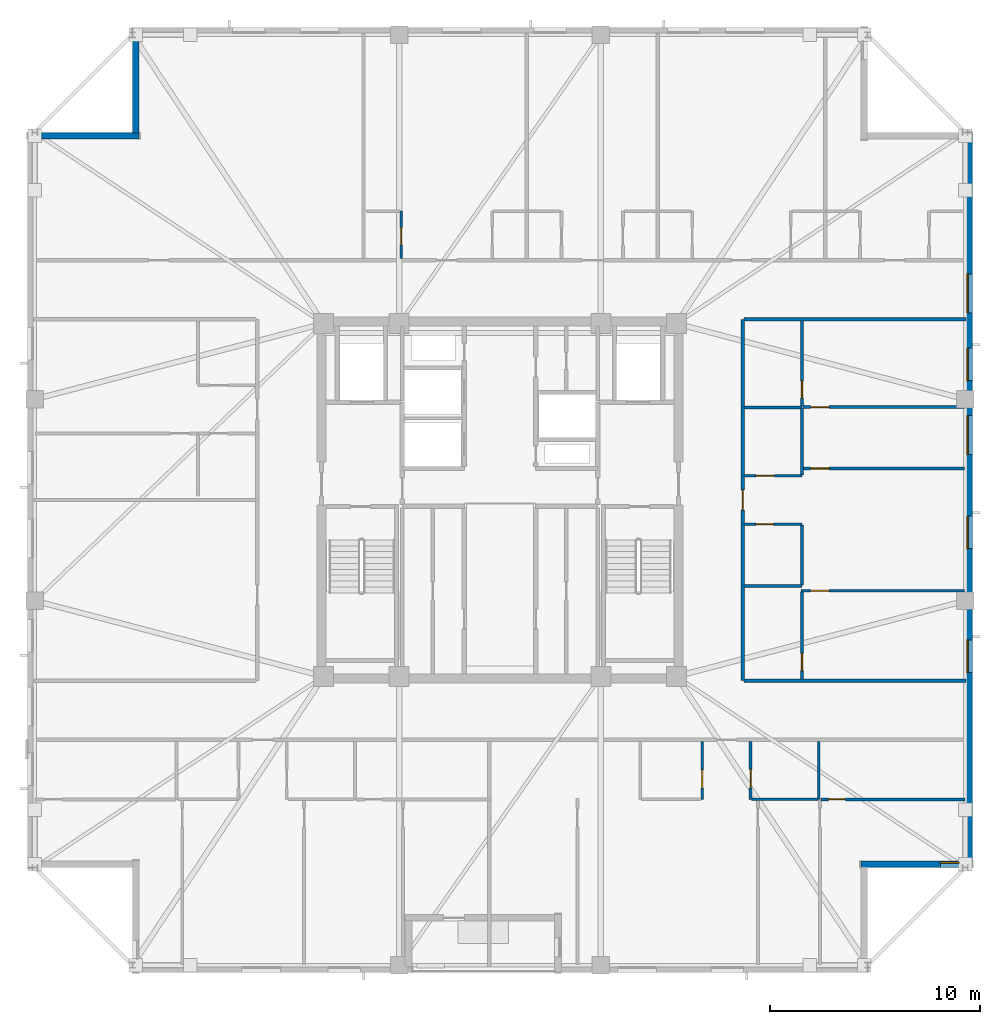
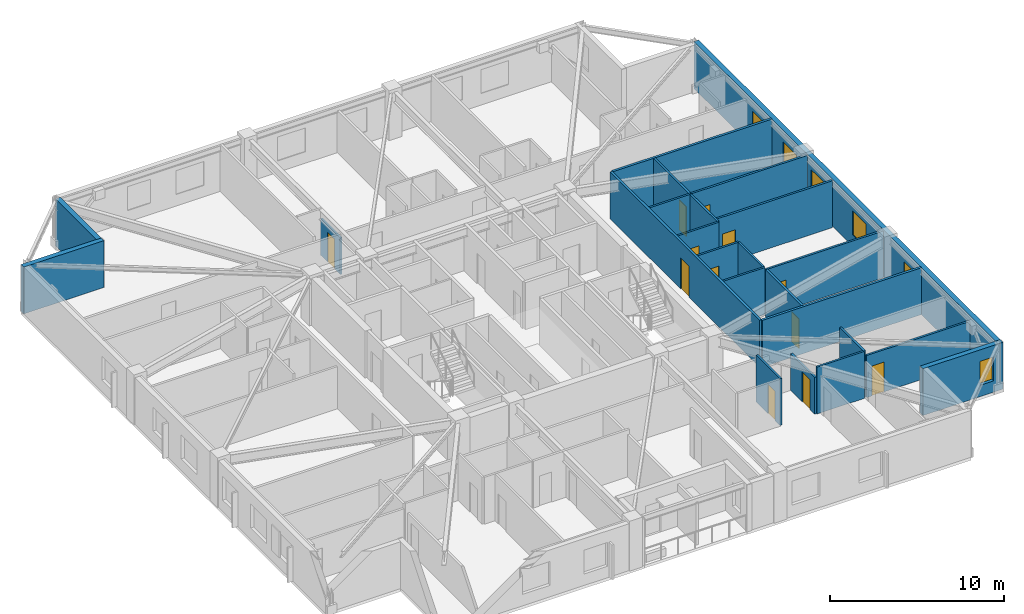
# One storey, part 10 of 17: 24 walls, 12 doors, 6 windows, 18 openings.
"""IFC4 building model written with IfcOpenShell, lengths in metres."""

import ifcopenshell
import ifcopenshell.guid

model = None  # the IFC model being written
_history = None  # IfcOwnerHistory: only IFC2X3 demands one
_inside = {}  # id of a spatial element -> (the spatial element, [elements in it])
_under = {}  # id of a project, library or spatial element -> (it, [spatial elements below it])
_declared = {}  # id of a project -> (the project, [libraries it declares])
_typed = {}  # id of a type object -> (the type object, [elements of that type])
_made_of = {}  # id of a material, layer set ... -> (it, [elements and type objects made of it])


def new_model(schema):
    """Start an empty IFC model of exactly this schema.

    Asked for "IFC4X3", IfcOpenShell would pick the latest addendum, in which some entities
    have other attributes; the version numbers below select the first issue.
    IFC2X3 requires an IfcOwnerHistory on every rooted entity: one is made here for all.
    """
    global model, _history
    if schema == "IFC4X3":
        model = ifcopenshell.file(schema_version=(4, 3, 0, 0))
    else:
        model = ifcopenshell.file(schema=schema)
    _inside.clear()
    _under.clear()
    _declared.clear()
    _typed.clear()
    _made_of.clear()
    _history = None
    if model.schema == "IFC2X3":
        org = make("IfcOrganization", Name="unknown")
        user = make(
            "IfcPersonAndOrganization",
            ThePerson=make("IfcPerson", FamilyName="unknown"),
            TheOrganization=org,
        )
        app = make(
            "IfcApplication",
            ApplicationDeveloper=org,
            Version="unknown",
            ApplicationFullName="unknown",
            ApplicationIdentifier="unknown",
        )
        _history = make(
            "IfcOwnerHistory",
            OwningUser=user,
            OwningApplication=app,
            ChangeAction="ADDED",
            CreationDate=0,
        )
    return model


def make(cls, **values):
    """One entity of the class cls with the attributes given. An attribute that is None is left unset."""
    return model.create_entity(
        cls, **{name: value for name, value in values.items() if value is not None}
    )


def rooted(cls, **values):
    """An entity with a GlobalId (a new one), such as an element, a storey or a relation."""
    return make(cls, GlobalId=ifcopenshell.guid.new(), OwnerHistory=_history, **values)


def si_unit(unit_type, name, prefix=None):
    """IfcSIUnit, for example si_unit("LENGTHUNIT", "METRE", prefix="MILLI")."""
    return make("IfcSIUnit", UnitType=unit_type, Prefix=prefix, Name=name)


def assignment(units):
    """IfcUnitAssignment: the units of a project."""
    return None if units is None else make("IfcUnitAssignment", Units=units)


def point(xyz):
    """IfcCartesianPoint."""
    return None if xyz is None else make("IfcCartesianPoint", Coordinates=xyz)


def direction(xyz):
    """IfcDirection."""
    return None if xyz is None else make("IfcDirection", DirectionRatios=xyz)


def frame(location, z_axis=None, x_axis=None):
    """IfcAxis2Placement3D, a coordinate frame: its origin and axes. An axis left out is left unset."""
    return make(
        "IfcAxis2Placement3D",
        Location=point(location),
        Axis=direction(z_axis),
        RefDirection=direction(x_axis),
    )


def frame_2d(location, x_axis=None):
    """IfcAxis2Placement2D, a coordinate frame in the plane: its origin and x axis."""
    return make(
        "IfcAxis2Placement2D", Location=point(location), RefDirection=direction(x_axis)
    )


def origin():
    """The frame at (0, 0, 0) with its axes left unset."""
    return frame((0.0, 0.0, 0.0))


def place(relative_to, where):
    """IfcLocalPlacement: puts the frame where relative to a parent placement (None: the world)."""
    return make(
        "IfcLocalPlacement", PlacementRelTo=relative_to, RelativePlacement=where
    )


def context(
    kind, dimensions, precision=None, world=None, true_north=None, identifier=None
):
    """IfcGeometricRepresentationContext, for example the 3D "Model" context."""
    return make(
        "IfcGeometricRepresentationContext",
        ContextIdentifier=identifier,
        ContextType=kind,
        CoordinateSpaceDimension=dimensions,
        Precision=precision,
        WorldCoordinateSystem=world,
        TrueNorth=true_north,
    )


def subcontext(parent, identifier, kind, view, scale=None):
    """IfcGeometricRepresentationSubContext, for example "Body" below "Model"."""
    return make(
        "IfcGeometricRepresentationSubContext",
        ContextIdentifier=identifier,
        ContextType=kind,
        ParentContext=parent,
        TargetScale=scale,
        TargetView=view,
    )


def project(units=None, contexts=None):
    """IfcProject with its units and contexts."""
    return rooted(
        "IfcProject",
        Name="project",
        RepresentationContexts=contexts,
        UnitsInContext=assignment(units),
    )


def spatial(cls, under=None, at=None, **own):
    """A site, building, storey or space (cls), placed at a placement, below another one or the project."""
    s = rooted(cls, ObjectPlacement=at, **own)
    if under is not None:
        _under.setdefault(under.id(), (under, []))[1].append(s)
    return s


def profile(cls, at=None, kind="AREA", **sizes):
    """A parametric profile (cls). Its sizes go by their IFC names, for example OverallWidth=200.0."""
    return make(cls, ProfileType=kind, Position=at, **sizes)


def rectangle(**sizes):
    """IfcRectangleProfileDef."""
    return profile("IfcRectangleProfileDef", **sizes)


def extrude(swept, where, along, depth):
    """IfcExtrudedAreaSolid: the profile swept, set in the frame where, extruded along a direction by depth."""
    return make(
        "IfcExtrudedAreaSolid",
        SweptArea=swept,
        Position=where,
        ExtrudedDirection=direction(along),
        Depth=depth,
    )


def shape(context_of_items, identifier, shape_type, items):
    """IfcShapeRepresentation: the items that make up one representation, for example the "Body"."""
    return make(
        "IfcShapeRepresentation",
        ContextOfItems=context_of_items,
        RepresentationIdentifier=identifier,
        RepresentationType=shape_type,
        Items=items,
    )


def material(Name=None, Category=None):
    """IfcMaterial."""
    return make("IfcMaterial", Name=Name, Category=Category)


def layer(
    of_material, thickness, ventilated=None, Name=None, Category=None, Priority=None
):
    """IfcMaterialLayer: one layer of a wall or slab, of a material (None: an air gap)."""
    return make(
        "IfcMaterialLayer",
        Material=of_material,
        LayerThickness=thickness,
        IsVentilated=ventilated,
        Name=Name,
        Category=Category,
        Priority=Priority,
    )


def layer_set(layers, Name=None):
    """IfcMaterialLayerSet."""
    return make("IfcMaterialLayerSet", MaterialLayers=layers, LayerSetName=Name)


def made_of(thing, what):
    """Note that an element or type object is made of a material, layer set ...; save() writes the relation."""
    if what is not None:
        _made_of.setdefault(what.id(), (what, []))[1].append(thing)
    return thing


def type_object(cls, material=None, **own):
    """A type object (cls), such as IfcWallType, which elements share."""
    return made_of(rooted(cls, **own), material)


def element(
    cls,
    number,
    at=None,
    inside=None,
    cuts=None,
    type_object=None,
    material=None,
    context=None,
    identifier="Body",
    shape_type=None,
    held_by="IfcProductDefinitionShape",
    body=None,
    shapes=None,
    **own,
):
    """One element of the class cls, such as IfcWall. Its Tag is "e" and its number.

    at: its placement. inside: the storey or other place that contains it. cuts: it is an
    opening in that element (IfcRelVoidsElement). A single representation is given by context,
    identifier, shape_type and body (its items); several are given by shapes. held_by: the class
    of the entity that holds the representations. save() writes the other relations.
    """
    e = rooted(cls, Tag="e%d" % number, ObjectPlacement=at, **own)
    if body is not None:
        shapes = [shape(context, identifier, shape_type, body)]
    if shapes is not None:
        e.Representation = make(held_by, Representations=shapes)
    if inside is not None:
        _inside.setdefault(inside.id(), (inside, []))[1].append(e)
    if cuts is not None:
        rooted(
            "IfcRelVoidsElement", RelatingBuildingElement=cuts, RelatedOpeningElement=e
        )
    if type_object is not None:
        _typed.setdefault(type_object.id(), (type_object, []))[1].append(e)
    return made_of(e, material)


def fill(opening, filler):
    """IfcRelFillsElement: the door or window that sits in an opening."""
    return rooted(
        "IfcRelFillsElement",
        RelatingOpeningElement=opening,
        RelatedBuildingElement=filler,
    )


def aggregate(whole, parts):
    """IfcRelAggregates: a whole, such as a stair, and the parts it consists of."""
    return rooted("IfcRelAggregates", RelatingObject=whole, RelatedObjects=parts)


def save(model, path):
    """Write the relations noted so far, then the file.

    IfcRelAggregates (storeys below a building ...), IfcRelContainedInSpatialStructure (elements
    in a storey), IfcRelDefinesByType, IfcRelAssociatesMaterial and IfcRelDeclares: one each for
    every whole, place, type object, material and project.
    """
    for whole, parts in _under.values():
        aggregate(whole, parts)
    for where, things in _inside.values():
        rooted(
            "IfcRelContainedInSpatialStructure",
            RelatedElements=things,
            RelatingStructure=where,
        )
    for kind, things in _typed.values():
        rooted("IfcRelDefinesByType", RelatedObjects=things, RelatingType=kind)
    for what, things in _made_of.values():
        rooted("IfcRelAssociatesMaterial", RelatedObjects=things, RelatingMaterial=what)
    for by, libraries in _declared.values():
        rooted("IfcRelDeclares", RelatingContext=by, RelatedDefinitions=libraries)
    model.write(path)


model = new_model("IFC4")

# Units and contexts
model_context = context("Model", 3, precision=1e-05, world=origin(), true_north=direction((0.0, 1.0)))
body_context = subcontext(model_context, "Body", "Model", "MODEL_VIEW")
ifc_project = project(units=[si_unit("LENGTHUNIT", "METRE"), si_unit("AREAUNIT", "SQUARE_METRE"), si_unit("VOLUMEUNIT", "CUBIC_METRE"), si_unit("PLANEANGLEUNIT", "RADIAN"), si_unit("MASSUNIT", "GRAM", prefix="KILO")], contexts=[model_context])

# Site, building, storey
site_placement = place(None, origin())
site = spatial("IfcSite", under=ifc_project, at=site_placement, CompositionType="ELEMENT")
building_placement = place(site_placement, origin())
building = spatial("IfcBuilding", under=site, at=building_placement, Name="Cairnveth Concourse Tower", CompositionType="ELEMENT")
storey_placement = place(building_placement, frame((0.0, 0.0, 269.0)))
storey = spatial("IfcBuildingStorey", under=building, at=storey_placement, Name="L74", CompositionType="ELEMENT", Elevation=269.0)

# Wall, opening, door
ifc_material_1 = material(Name="Gypsum Plasterboard Partition", Category="gypsum")
ifc_layer_1 = layer(ifc_material_1, 0.159912109375)
ifc_layer_set_1 = layer_set([ifc_layer_1], Name="Gypsum Plasterboard Partition")
wall_type_1 = type_object("IfcWallType", Name="ACOUSTIC PARTY WALL 180", PredefinedType="PARTITIONING", material=ifc_layer_set_1)
wall_1_placement = place(storey_placement, frame((63.550048828125, 30.39990234375, 0.0), z_axis=(0.0, 0.0, 1.0), x_axis=(0.0, 1.0, 0.0)))
wall_1 = element("IfcWall", 1, at=wall_1_placement, inside=storey, type_object=wall_type_1, Name="Interior Wall IW-L74-039", PredefinedType="PARTITIONING", context=body_context, shape_type="SweptSolid", body=[
    extrude(rectangle(XDim=17.2001953125, YDim=0.159912109375, at=frame_2d((8.60009765625, 0.0))), origin(), (0.0, 0.0, 1.0), 3.2900390625),
])
opening_1_placement = place(wall_1_placement, frame((8.1201171875, 0.0, 0.0)))
opening_1 = element("IfcOpeningElement", 2, at=opening_1_placement, cuts=wall_1, Name="Opening ID10", PredefinedType="OPENING", context=body_context, shape_type="SweptSolid", body=[
    extrude(rectangle(XDim=0.9599609375, YDim=2.179931640625, at=frame_2d((0.47998046875, 1.08984375))), frame((0.0, 0.08984375, 0.0), z_axis=(0.0, -1.0, 0.0), x_axis=(1.0, 0.0, 0.0)), (0.0, 0.0, 1.0), 0.179931640625),
])
ifc_material_2 = material(Name="Solid Core Hardwood Timber Leaf", Category="wood")
door_type_1 = type_object("IfcDoorType", Name="FLAT ENTRANCE DOOR 960X2150", OperationType="NOTDEFINED", PredefinedType="DOOR", material=ifc_material_2)
door_1_placement = place(opening_1_placement, origin())
door_1 = element("IfcDoor", 3, at=door_1_placement, inside=storey, type_object=door_type_1, Name="Apartment L74E1 Entrance Door", OperationType="SINGLE_SWING_LEFT", OverallHeight=2.179931640625, OverallWidth=0.9599609375, PredefinedType="DOOR", context=body_context, shape_type="SweptSolid", body=[
    extrude(rectangle(XDim=0.9599609375, YDim=2.179931640625, at=frame_2d((0.47998046875, 1.08984375))), frame((0.0, 0.02490234375, 0.0), z_axis=(0.0, -1.0, 0.0), x_axis=(1.0, 0.0, 0.0)), (0.0, 0.0, 1.0), 0.050048828125),
])
fill(opening_1, door_1)

# Walls
for number, where, z_axis, x_axis, name in (
    (4, (63.614990234375, 30.39990234375, 0.0), (0.0, 0.0, 1.0), (1.0, 0.0, 0.0), "Interior Wall IW-L74-042"),
    (5, (63.614990234375, 47.60009765625, 0.0), (0.0, 0.0, 1.0), (1.0, 0.0, 0.0), "Interior Wall IW-L74-043"),
):
    element("IfcWall", number, at=place(storey_placement, frame(where, z_axis=z_axis, x_axis=x_axis)), inside=storey, type_object=wall_type_1, Name=name, PredefinedType="PARTITIONING", context=body_context, shape_type="SweptSolid", body=[
        extrude(rectangle(XDim=10.580078125, YDim=0.159912109375, at=frame_2d((5.2900390625, 0.0))), origin(), (0.0, 0.0, 1.0), 3.2900390625),
    ])

# Wall, opening, door
ifc_layer_2 = layer(ifc_material_1, 0.139892578125)
ifc_layer_set_2 = layer_set([ifc_layer_2], Name="Gypsum Plasterboard Partition")
wall_type_2 = type_object("IfcWallType", Name="GYPSUM STUD PARTITION 140", PredefinedType="PARTITIONING", material=ifc_layer_set_2)
wall_2_placement = place(storey_placement, frame((67.284912109375, 24.74755859375, 0.0), z_axis=(0.0, 0.0, 1.0), x_axis=(1.0, 0.0, 0.0)))
wall_2 = element("IfcWall", 6, at=wall_2_placement, inside=storey, type_object=wall_type_2, Name="Interior Wall IW-L74-064", PredefinedType="PARTITIONING", context=body_context, shape_type="SweptSolid", body=[
    extrude(rectangle(XDim=6.844970703125, YDim=0.139892578125, at=frame_2d((3.42236328125, 0.0))), origin(), (0.0, 0.0, 1.0), 2.9580078125),
])
opening_2_placement = place(wall_2_placement, frame((0.344970703125, 0.0, 0.0)))
opening_2 = element("IfcOpeningElement", 7, at=opening_2_placement, cuts=wall_2, Name="Opening ID22", PredefinedType="OPENING", context=body_context, shape_type="SweptSolid", body=[
    extrude(rectangle(XDim=0.820068359375, YDim=2.10009765625, at=frame_2d((0.41015625, 1.050048828125))), frame((0.0, 0.079833984375, 0.0), z_axis=(0.0, -1.0, 0.0), x_axis=(1.0, 0.0, 0.0)), (0.0, 0.0, 1.0), 0.159912109375),
])
door_type_2 = type_object("IfcDoorType", Name="INTERIOR WC DOOR 820X2100", OperationType="NOTDEFINED", PredefinedType="DOOR", material=ifc_material_2)
door_2_placement = place(opening_2_placement, origin())
door_2 = element("IfcDoor", 8, at=door_2_placement, inside=storey, type_object=door_type_2, Name="L74S2 Utility Door", OperationType="SINGLE_SWING_RIGHT", OverallHeight=2.10009765625, OverallWidth=0.820068359375, PredefinedType="DOOR", context=body_context, shape_type="SweptSolid", body=[
    extrude(rectangle(XDim=0.820068359375, YDim=2.10009765625, at=frame_2d((0.41015625, 1.050048828125))), frame((0.0, 0.02490234375, 0.0), z_axis=(0.0, -1.0, 0.0), x_axis=(1.0, 0.0, 0.0)), (0.0, 0.0, 1.0), 0.050048828125),
])
fill(opening_2, door_2)

wall_3_placement = place(storey_placement, frame((66.340087890625, 34.679931640625, 0.0), z_axis=(0.0, 0.0, 1.0), x_axis=(1.0, 0.0, 0.0)))
wall_3 = element("IfcWall", 9, at=wall_3_placement, inside=storey, type_object=wall_type_2, Name="Interior Wall IW-L74-098", PredefinedType="PARTITIONING", context=body_context, shape_type="SweptSolid", body=[
    extrude(rectangle(XDim=7.780029296875, YDim=0.139892578125, at=frame_2d((3.89013671875, 0.0))), origin(), (0.0, 0.0, 1.0), 3.2900390625),
])
opening_3_placement = place(wall_3_placement, frame((0.449951171875, 0.0, 0.0)))
opening_3 = element("IfcOpeningElement", 10, at=opening_3_placement, cuts=wall_3, Name="Opening ID18", PredefinedType="OPENING", context=body_context, shape_type="SweptSolid", body=[
    extrude(rectangle(XDim=0.8798828125, YDim=2.10009765625, at=frame_2d((0.43994140625, 1.050048828125))), frame((0.0, 0.079833984375, 0.0), z_axis=(0.0, -1.0, 0.0), x_axis=(1.0, 0.0, 0.0)), (0.0, 0.0, 1.0), 0.159912109375),
])
door_type_3 = type_object("IfcDoorType", Name="INTERIOR SINGLE DOOR 880X2100", OperationType="NOTDEFINED", PredefinedType="DOOR", material=ifc_material_2)
door_3_placement = place(opening_3_placement, origin())
door_3 = element("IfcDoor", 11, at=door_3_placement, inside=storey, type_object=door_type_3, Name="L74E1 Master Bedroom Door", OperationType="SINGLE_SWING_LEFT", OverallHeight=2.10009765625, OverallWidth=0.8798828125, PredefinedType="DOOR", context=body_context, shape_type="SweptSolid", body=[
    extrude(rectangle(XDim=0.8798828125, YDim=2.10009765625, at=frame_2d((0.43994140625, 1.050048828125))), frame((0.0, 0.02490234375, 0.0), z_axis=(0.0, -1.0, 0.0), x_axis=(1.0, 0.0, 0.0)), (0.0, 0.0, 1.0), 0.050048828125),
])
fill(opening_3, door_3)

wall_4_placement = place(storey_placement, frame((66.3798828125, 30.465087890625, 0.0), z_axis=(0.0, 0.0, 1.0), x_axis=(0.0, 1.0, 0.0)))
wall_4 = element("IfcWall", 12, at=wall_4_placement, inside=storey, type_object=wall_type_2, Name="Interior Wall IW-L74-099", PredefinedType="PARTITIONING", context=body_context, shape_type="SweptSolid", body=[
    extrude(rectangle(XDim=4.159912109375, YDim=0.139892578125, at=frame_2d((2.080078125, 0.0))), origin(), (0.0, 0.0, 1.0), 3.2900390625),
])
opening_4_placement = place(wall_4_placement, frame((0.4150390625, 0.0, 0.0)))
opening_4 = element("IfcOpeningElement", 13, at=opening_4_placement, cuts=wall_4, Name="Opening ID22", PredefinedType="OPENING", context=body_context, shape_type="SweptSolid", body=[
    extrude(rectangle(XDim=0.820068359375, YDim=2.10009765625, at=frame_2d((0.41015625, 1.050048828125))), frame((0.0, 0.079833984375, 0.0), z_axis=(0.0, -1.0, 0.0), x_axis=(1.0, 0.0, 0.0)), (0.0, 0.0, 1.0), 0.159912109375),
])
door_4_placement = place(opening_4_placement, origin())
door_4 = element("IfcDoor", 14, at=door_4_placement, inside=storey, type_object=door_type_2, Name="L74E1 Dressing Door", OperationType="SINGLE_SWING_RIGHT", OverallHeight=2.10009765625, OverallWidth=0.820068359375, PredefinedType="DOOR", context=body_context, shape_type="SweptSolid", body=[
    extrude(rectangle(XDim=0.820068359375, YDim=2.10009765625, at=frame_2d((0.41015625, 1.050048828125))), frame((0.0, 0.02490234375, 0.0), z_axis=(0.0, -1.0, 0.0), x_axis=(1.0, 0.0, 0.0)), (0.0, 0.0, 1.0), 0.050048828125),
])
fill(opening_4, door_4)

wall_5_placement = place(storey_placement, frame((66.429931640625, 43.419921875, 0.0), z_axis=(0.0, 0.0, 1.0), x_axis=(1.0, 0.0, 0.0)))
wall_5 = element("IfcWall", 15, at=wall_5_placement, inside=storey, type_object=wall_type_2, Name="Interior Wall IW-L74-100", PredefinedType="PARTITIONING", context=body_context, shape_type="SweptSolid", body=[
    extrude(rectangle(XDim=7.690185546875, YDim=0.139892578125, at=frame_2d((3.84521484375, 0.0))), origin(), (0.0, 0.0, 1.0), 3.2900390625),
])
opening_5_placement = place(wall_5_placement, frame((0.360107421875, 0.0, 0.0)))
opening_5 = element("IfcOpeningElement", 16, at=opening_5_placement, cuts=wall_5, Name="Opening ID18", PredefinedType="OPENING", context=body_context, shape_type="SweptSolid", body=[
    extrude(rectangle(XDim=0.8798828125, YDim=2.10009765625, at=frame_2d((0.43994140625, 1.050048828125))), frame((0.0, 0.079833984375, 0.0), z_axis=(0.0, -1.0, 0.0), x_axis=(1.0, 0.0, 0.0)), (0.0, 0.0, 1.0), 0.159912109375),
])
door_5_placement = place(opening_5_placement, origin())
door_5 = element("IfcDoor", 17, at=door_5_placement, inside=storey, type_object=door_type_3, Name="L74E1 Bedroom 2 Door", OperationType="SINGLE_SWING_LEFT", OverallHeight=2.10009765625, OverallWidth=0.8798828125, PredefinedType="DOOR", context=body_context, shape_type="SweptSolid", body=[
    extrude(rectangle(XDim=0.8798828125, YDim=2.10009765625, at=frame_2d((0.43994140625, 1.050048828125))), frame((0.0, 0.02490234375, 0.0), z_axis=(0.0, -1.0, 0.0), x_axis=(1.0, 0.0, 0.0)), (0.0, 0.0, 1.0), 0.050048828125),
])
fill(opening_5, door_5)

wall_6_placement = place(storey_placement, frame((66.3798828125, 43.47509765625, 0.0), z_axis=(0.0, 0.0, 1.0), x_axis=(0.0, 1.0, 0.0)))
wall_6 = element("IfcWall", 18, at=wall_6_placement, inside=storey, type_object=wall_type_2, Name="Interior Wall IW-L74-101", PredefinedType="PARTITIONING", context=body_context, shape_type="SweptSolid", body=[
    extrude(rectangle(XDim=4.059814453125, YDim=0.139892578125, at=frame_2d((2.02978515625, 0.0))), origin(), (0.0, 0.0, 1.0), 3.2900390625),
])
opening_6_placement = place(wall_6_placement, frame((0.375, 0.0, 0.0)))
opening_6 = element("IfcOpeningElement", 19, at=opening_6_placement, cuts=wall_6, Name="Opening ID22", PredefinedType="OPENING", context=body_context, shape_type="SweptSolid", body=[
    extrude(rectangle(XDim=0.820068359375, YDim=2.10009765625, at=frame_2d((0.41015625, 1.050048828125))), frame((0.0, 0.079833984375, 0.0), z_axis=(0.0, -1.0, 0.0), x_axis=(1.0, 0.0, 0.0)), (0.0, 0.0, 1.0), 0.159912109375),
])
door_6_placement = place(opening_6_placement, origin())
door_6 = element("IfcDoor", 20, at=door_6_placement, inside=storey, type_object=door_type_2, Name="L74E1 Utility Door", OperationType="SINGLE_SWING_RIGHT", OverallHeight=2.10009765625, OverallWidth=0.820068359375, PredefinedType="DOOR", context=body_context, shape_type="SweptSolid", body=[
    extrude(rectangle(XDim=0.820068359375, YDim=2.10009765625, at=frame_2d((0.41015625, 1.050048828125))), frame((0.0, 0.02490234375, 0.0), z_axis=(0.0, -1.0, 0.0), x_axis=(1.0, 0.0, 0.0)), (0.0, 0.0, 1.0), 0.050048828125),
])
fill(opening_6, door_6)

wall_7_placement = place(storey_placement, frame((66.429931640625, 40.5, 0.0), z_axis=(0.0, 0.0, 1.0), x_axis=(1.0, 0.0, 0.0)))
wall_7 = element("IfcWall", 21, at=wall_7_placement, inside=storey, type_object=wall_type_2, Name="Interior Wall IW-L74-102", PredefinedType="PARTITIONING", context=body_context, shape_type="SweptSolid", body=[
    extrude(rectangle(XDim=7.690185546875, YDim=0.139892578125, at=frame_2d((3.84521484375, 0.0))), origin(), (0.0, 0.0, 1.0), 3.2900390625),
])
opening_7_placement = place(wall_7_placement, frame((0.360107421875, 0.0, 0.0)))
opening_7 = element("IfcOpeningElement", 22, at=opening_7_placement, cuts=wall_7, Name="Opening ID18", PredefinedType="OPENING", context=body_context, shape_type="SweptSolid", body=[
    extrude(rectangle(XDim=0.8798828125, YDim=2.10009765625, at=frame_2d((0.43994140625, 1.050048828125))), frame((0.0, 0.079833984375, 0.0), z_axis=(0.0, -1.0, 0.0), x_axis=(1.0, 0.0, 0.0)), (0.0, 0.0, 1.0), 0.159912109375),
])
door_7_placement = place(opening_7_placement, origin())
door_7 = element("IfcDoor", 23, at=door_7_placement, inside=storey, type_object=door_type_3, Name="L74E1 Media Lounge Door", OperationType="SINGLE_SWING_RIGHT", OverallHeight=2.10009765625, OverallWidth=0.8798828125, PredefinedType="DOOR", context=body_context, shape_type="SweptSolid", body=[
    extrude(rectangle(XDim=0.8798828125, YDim=2.10009765625, at=frame_2d((0.43994140625, 1.050048828125))), frame((0.0, 0.02490234375, 0.0), z_axis=(0.0, -1.0, 0.0), x_axis=(1.0, 0.0, 0.0)), (0.0, 0.0, 1.0), 0.050048828125),
])
fill(opening_7, door_7)

ifc_layer_3 = layer(ifc_material_1, 0.1298828125)
ifc_layer_set_3 = layer_set([ifc_layer_3], Name="Gypsum Plasterboard Partition")
wall_type_3 = type_object("IfcWallType", Name="WET AREA PARTITION 140", PredefinedType="PLUMBINGWALL", material=ifc_layer_set_3)
wall_8_placement = place(storey_placement, frame((61.6298828125, 24.74755859375, 0.0), z_axis=(0.0, 0.0, 1.0), x_axis=(0.0, 1.0, 0.0)))
wall_8 = element("IfcWall", 24, at=wall_8_placement, inside=storey, type_object=wall_type_3, Name="Interior Wall IW-L74-057", PredefinedType="PLUMBINGWALL", context=body_context, shape_type="SweptSolid", body=[
    extrude(rectangle(XDim=2.75, YDim=0.1298828125, at=frame_2d((1.375, 0.0))), origin(), (0.0, 0.0, 1.0), 3.2900390625),
])
opening_8_placement = place(wall_8_placement, frame((0.550048828125, 0.0, 0.0)))
opening_8 = element("IfcOpeningElement", 25, at=opening_8_placement, cuts=wall_8, Name="Opening ID21", PredefinedType="OPENING", context=body_context, shape_type="SweptSolid", body=[
    extrude(rectangle(XDim=0.85009765625, YDim=2.080078125, at=frame_2d((0.425048828125, 1.0400390625))), frame((0.0, 0.074951171875, 0.0), z_axis=(0.0, -1.0, 0.0), x_axis=(1.0, 0.0, 0.0)), (0.0, 0.0, 1.0), 0.14990234375),
])
door_type_4 = type_object("IfcDoorType", Name="INTERIOR WC DOOR 850X2100", OperationType="NOTDEFINED", PredefinedType="DOOR", material=ifc_material_2)
door_8_placement = place(opening_8_placement, origin())
door_8 = element("IfcDoor", 26, at=door_8_placement, inside=storey, type_object=door_type_4, Name="L74S2 Bathroom Door", OperationType="SINGLE_SWING_LEFT", OverallHeight=2.080078125, OverallWidth=0.85009765625, PredefinedType="DOOR", context=body_context, shape_type="SweptSolid", body=[
    extrude(rectangle(XDim=0.85009765625, YDim=2.080078125, at=frame_2d((0.425048828125, 1.0400390625))), frame((0.0, 0.02490234375, 0.0), z_axis=(0.0, -1.0, 0.0), x_axis=(1.0, 0.0, 0.0)), (0.0, 0.0, 1.0), 0.050048828125),
])
fill(opening_8, door_8)

# Wall
wall_9_placement = place(storey_placement, frame((67.179931640625, 24.74755859375, 0.0), z_axis=(0.0, 0.0, 1.0), x_axis=(0.0, 1.0, 0.0)))
element("IfcWall", 27, at=wall_9_placement, inside=storey, type_object=wall_type_3, Name="Interior Wall IW-L74-059", PredefinedType="PLUMBINGWALL", context=body_context, shape_type="SweptSolid", body=[
    extrude(rectangle(XDim=2.75, YDim=0.1298828125, at=frame_2d((1.375, 0.0))), origin(), (0.0, 0.0, 1.0), 3.2900390625),
])

# Wall, opening, door
wall_10_placement = place(storey_placement, frame((63.929931640625, 24.74755859375, 0.0), z_axis=(0.0, 0.0, 1.0), x_axis=(0.0, 1.0, 0.0)))
wall_10 = element("IfcWall", 28, at=wall_10_placement, inside=storey, type_object=wall_type_3, Name="Interior Wall IW-L74-060", PredefinedType="PLUMBINGWALL", context=body_context, shape_type="SweptSolid", body=[
    extrude(rectangle(XDim=2.75, YDim=0.1298828125, at=frame_2d((1.375, 0.0))), origin(), (0.0, 0.0, 1.0), 2.572998046875),
])
opening_9_placement = place(wall_10_placement, frame((0.550048828125, 0.0, 0.0)))
opening_9 = element("IfcOpeningElement", 29, at=opening_9_placement, cuts=wall_10, Name="Opening ID18", PredefinedType="OPENING", context=body_context, shape_type="SweptSolid", body=[
    extrude(rectangle(XDim=0.8798828125, YDim=2.10009765625, at=frame_2d((0.43994140625, 1.050048828125))), frame((0.0, 0.074951171875, 0.0), z_axis=(0.0, -1.0, 0.0), x_axis=(1.0, 0.0, 0.0)), (0.0, 0.0, 1.0), 0.14990234375),
])
door_9_placement = place(opening_9_placement, origin())
door_9 = element("IfcDoor", 30, at=door_9_placement, inside=storey, type_object=door_type_3, Name="L74S2 Kitchen Door", OperationType="SINGLE_SWING_RIGHT", OverallHeight=2.10009765625, OverallWidth=0.8798828125, PredefinedType="DOOR", context=body_context, shape_type="SweptSolid", body=[
    extrude(rectangle(XDim=0.8798828125, YDim=2.10009765625, at=frame_2d((0.43994140625, 1.050048828125))), frame((0.0, 0.02490234375, 0.0), z_axis=(0.0, -1.0, 0.0), x_axis=(1.0, 0.0, 0.0)), (0.0, 0.0, 1.0), 0.050048828125),
])
fill(opening_9, door_9)

# Wall
wall_11_placement = place(storey_placement, frame((63.97998046875, 24.74755859375, 0.0), z_axis=(0.0, 0.0, 1.0), x_axis=(1.0, 0.0, 0.0)))
element("IfcWall", 31, at=wall_11_placement, inside=storey, type_object=wall_type_3, Name="Interior Wall IW-L74-061", PredefinedType="PLUMBINGWALL", context=body_context, shape_type="SweptSolid", body=[
    extrude(rectangle(XDim=3.14990234375, YDim=0.1298828125, at=frame_2d((1.574951171875, 0.0))), origin(), (0.0, 0.0, 1.0), 3.2900390625),
])

# Wall, opening, door
wall_12_placement = place(storey_placement, frame((47.300048828125, 50.50244140625, 0.0), z_axis=(0.0, 0.0, 1.0), x_axis=(0.0, 1.0, 0.0)))
wall_12 = element("IfcWall", 32, at=wall_12_placement, inside=storey, type_object=wall_type_3, Name="Interior Wall IW-L74-067", PredefinedType="PLUMBINGWALL", context=body_context, shape_type="SweptSolid", body=[
    extrude(rectangle(XDim=2.25, YDim=0.1298828125, at=frame_2d((1.125, 0.0))), origin(), (0.0, 0.0, 1.0), 2.572998046875),
])
opening_10_placement = place(wall_12_placement, frame((0.64990234375, 0.0, 0.0)))
opening_10 = element("IfcOpeningElement", 33, at=opening_10_placement, cuts=wall_12, Name="Opening ID22", PredefinedType="OPENING", context=body_context, shape_type="SweptSolid", body=[
    extrude(rectangle(XDim=0.820068359375, YDim=2.10009765625, at=frame_2d((0.41015625, 1.050048828125))), frame((0.0, 0.074951171875, 0.0), z_axis=(0.0, -1.0, 0.0), x_axis=(1.0, 0.0, 0.0)), (0.0, 0.0, 1.0), 0.14990234375),
])
door_10_placement = place(opening_10_placement, origin())
door_10 = element("IfcDoor", 34, at=door_10_placement, inside=storey, type_object=door_type_2, Name="L74STN1 Bathroom Door", OperationType="SINGLE_SWING_LEFT", OverallHeight=2.10009765625, OverallWidth=0.820068359375, PredefinedType="DOOR", context=body_context, shape_type="SweptSolid", body=[
    extrude(rectangle(XDim=0.820068359375, YDim=2.10009765625, at=frame_2d((0.41015625, 1.050048828125))), frame((0.0, 0.02490234375, 0.0), z_axis=(0.0, -1.0, 0.0), x_axis=(1.0, 0.0, 0.0)), (0.0, 0.0, 1.0), 0.050048828125),
])
fill(opening_10, door_10)

# Wall
wall_13_placement = place(storey_placement, frame((63.6298828125, 34.89990234375, 0.0), z_axis=(0.0, 0.0, 1.0), x_axis=(1.0, 0.0, 0.0)))
element("IfcWall", 35, at=wall_13_placement, inside=storey, type_object=wall_type_3, Name="Interior Wall IW-L74-092", PredefinedType="PLUMBINGWALL", context=body_context, shape_type="SweptSolid", body=[
    extrude(rectangle(XDim=2.75, YDim=0.1298828125, at=frame_2d((1.375, 0.0))), origin(), (0.0, 0.0, 1.0), 3.2900390625),
])

# Wall, opening, door
wall_14_placement = place(storey_placement, frame((63.6298828125, 37.85009765625, 0.0), z_axis=(0.0, 0.0, 1.0), x_axis=(1.0, 0.0, 0.0)))
wall_14 = element("IfcWall", 36, at=wall_14_placement, inside=storey, type_object=wall_type_3, Name="Interior Wall IW-L74-093", PredefinedType="PLUMBINGWALL", context=body_context, shape_type="SweptSolid", body=[
    extrude(rectangle(XDim=2.75, YDim=0.1298828125, at=frame_2d((1.375, 0.0))), origin(), (0.0, 0.0, 1.0), 3.2900390625),
])
opening_11_placement = place(wall_14_placement, frame((0.550048828125, 0.0, 0.0)))
opening_11 = element("IfcOpeningElement", 37, at=opening_11_placement, cuts=wall_14, Name="Opening ID21", PredefinedType="OPENING", context=body_context, shape_type="SweptSolid", body=[
    extrude(rectangle(XDim=0.85009765625, YDim=2.080078125, at=frame_2d((0.425048828125, 1.0400390625))), frame((0.0, 0.074951171875, 0.0), z_axis=(0.0, -1.0, 0.0), x_axis=(1.0, 0.0, 0.0)), (0.0, 0.0, 1.0), 0.14990234375),
])
door_11_placement = place(opening_11_placement, origin())
door_11 = element("IfcDoor", 38, at=door_11_placement, inside=storey, type_object=door_type_4, Name="L74E1 Bathroom Door", OperationType="SINGLE_SWING_RIGHT", OverallHeight=2.080078125, OverallWidth=0.85009765625, PredefinedType="DOOR", context=body_context, shape_type="SweptSolid", body=[
    extrude(rectangle(XDim=0.85009765625, YDim=2.080078125, at=frame_2d((0.425048828125, 1.0400390625))), frame((0.0, 0.02490234375, 0.0), z_axis=(0.0, -1.0, 0.0), x_axis=(1.0, 0.0, 0.0)), (0.0, 0.0, 1.0), 0.050048828125),
])
fill(opening_11, door_11)

# Walls
wall_15_placement = place(storey_placement, frame((66.3798828125, 34.949951171875, 0.0), z_axis=(0.0, 0.0, 1.0), x_axis=(0.0, 1.0, 0.0)))
element("IfcWall", 39, at=wall_15_placement, inside=storey, type_object=wall_type_3, Name="Interior Wall IW-L74-094", PredefinedType="PLUMBINGWALL", context=body_context, shape_type="SweptSolid", body=[
    extrude(rectangle(XDim=2.85009765625, YDim=0.1298828125, at=frame_2d((1.425048828125, 0.0))), origin(), (0.0, 0.0, 1.0), 3.2900390625),
])
wall_16_placement = place(storey_placement, frame((63.6298828125, 43.39990234375, 0.0), z_axis=(0.0, 0.0, 1.0), x_axis=(1.0, 0.0, 0.0)))
element("IfcWall", 40, at=wall_16_placement, inside=storey, type_object=wall_type_3, Name="Interior Wall IW-L74-095", PredefinedType="PLUMBINGWALL", context=body_context, shape_type="SweptSolid", body=[
    extrude(rectangle(XDim=2.75, YDim=0.1298828125, at=frame_2d((1.375, 0.0))), origin(), (0.0, 0.0, 1.0), 3.2900390625),
])

# Wall, opening, door
wall_17_placement = place(storey_placement, frame((63.6298828125, 40.14990234375, 0.0), z_axis=(0.0, 0.0, 1.0), x_axis=(1.0, 0.0, 0.0)))
wall_17 = element("IfcWall", 41, at=wall_17_placement, inside=storey, type_object=wall_type_3, Name="Interior Wall IW-L74-096", PredefinedType="PLUMBINGWALL", context=body_context, shape_type="SweptSolid", body=[
    extrude(rectangle(XDim=2.75, YDim=0.1298828125, at=frame_2d((1.375, 0.0))), origin(), (0.0, 0.0, 1.0), 3.2900390625),
])
opening_12_placement = place(wall_17_placement, frame((0.550048828125, 0.0, 0.0)))
opening_12 = element("IfcOpeningElement", 42, at=opening_12_placement, cuts=wall_17, Name="Opening ID18", PredefinedType="OPENING", context=body_context, shape_type="SweptSolid", body=[
    extrude(rectangle(XDim=0.8798828125, YDim=2.10009765625, at=frame_2d((0.43994140625, 1.050048828125))), frame((0.0, 0.074951171875, 0.0), z_axis=(0.0, -1.0, 0.0), x_axis=(1.0, 0.0, 0.0)), (0.0, 0.0, 1.0), 0.14990234375),
])
door_12_placement = place(opening_12_placement, origin())
door_12 = element("IfcDoor", 43, at=door_12_placement, inside=storey, type_object=door_type_3, Name="L74E1 Kitchen Door", OperationType="SINGLE_SWING_LEFT", OverallHeight=2.10009765625, OverallWidth=0.8798828125, PredefinedType="DOOR", context=body_context, shape_type="SweptSolid", body=[
    extrude(rectangle(XDim=0.8798828125, YDim=2.10009765625, at=frame_2d((0.43994140625, 1.050048828125))), frame((0.0, 0.02490234375, 0.0), z_axis=(0.0, -1.0, 0.0), x_axis=(1.0, 0.0, 0.0)), (0.0, 0.0, 1.0), 0.050048828125),
])
fill(opening_12, door_12)

# Walls
wall_18_placement = place(storey_placement, frame((66.3798828125, 40.199951171875, 0.0), z_axis=(0.0, 0.0, 1.0), x_axis=(0.0, 1.0, 0.0)))
element("IfcWall", 44, at=wall_18_placement, inside=storey, type_object=wall_type_3, Name="Interior Wall IW-L74-097", PredefinedType="PLUMBINGWALL", context=body_context, shape_type="SweptSolid", body=[
    extrude(rectangle(XDim=3.150146484375, YDim=0.1298828125, at=frame_2d((1.5751953125, 0.0))), origin(), (0.0, 0.0, 1.0), 3.2900390625),
])
ifc_material_3 = material(Name="Melbourne Buff Fired Clay Brick Masonry", Category="masonry")
ifc_layer_4 = layer(ifc_material_3, 0.320068359375)
ifc_layer_set_4 = layer_set([ifc_layer_4], Name="Melbourne Buff Fired Clay Brick Masonry")
wall_type_4 = type_object("IfcWallType", Name="ZONE 3 BRICK PIER SPANDREL WALL 320", PredefinedType="SOLIDWALL", material=ifc_layer_set_4)
wall_19_placement = place(storey_placement, frame((29.5, 56.340087890625, 0.0), z_axis=(0.0, 0.0, 1.0), x_axis=(1.0, 0.0, 0.0)))
element("IfcWall", 45, at=wall_19_placement, inside=storey, type_object=wall_type_4, Name="Exterior Wall EW-L74-S04", PredefinedType="SOLIDWALL", context=body_context, shape_type="SweptSolid", body=[
    extrude(rectangle(XDim=5.320068359375, YDim=0.320068359375, at=frame_2d((2.66015625, 0.0))), origin(), (0.0, 0.0, 1.0), 3.2900390625),
])
wall_20_placement = place(storey_placement, frame((34.659912109375, 56.47802734375, 0.0), z_axis=(0.0, 0.0, 1.0), x_axis=(0.0, 1.0, 0.0)))
element("IfcWall", 46, at=wall_20_placement, inside=storey, type_object=wall_type_4, Name="Exterior Wall EW-L74-S05", PredefinedType="SOLIDWALL", context=body_context, shape_type="SweptSolid", body=[
    extrude(rectangle(XDim=4.723876953125, YDim=0.320068359375, at=frame_2d((2.36181640625, 0.0))), origin(), (0.0, 0.0, 1.0), 3.2900390625),
])

# Wall, openings, windows
wall_21_placement = place(storey_placement, frame((74.340087890625, 56.5, 0.0), z_axis=(0.0, 0.0, 1.0), x_axis=(0.0, -1.0, 0.0)))
wall_21 = element("IfcWall", 47, at=wall_21_placement, inside=storey, type_object=wall_type_4, Name="Exterior Wall EW-L74-S09", PredefinedType="SOLIDWALL", context=body_context, shape_type="SweptSolid", body=[
    extrude(rectangle(XDim=34.701904296875, YDim=0.320068359375, at=frame_2d((17.35107421875, 0.0))), origin(), (0.0, 0.0, 1.0), 3.2900390625),
])
opening_13_placement = place(wall_21_placement, frame((6.73779296875, 0.0, 0.800048828125)))
opening_13 = element("IfcOpeningElement", 48, at=opening_13_placement, cuts=wall_21, Name="Opening W08", PredefinedType="OPENING", context=body_context, shape_type="SweptSolid", body=[
    extrude(rectangle(XDim=1.85009765625, YDim=1.677978515625, at=frame_2d((0.925048828125, 0.8388671875))), frame((0.0, 0.169921875, 0.0), z_axis=(0.0, -1.0, 0.0), x_axis=(1.0, 0.0, 0.0)), (0.0, 0.0, 1.0), 0.340087890625),
])
opening_14_placement = place(wall_21_placement, frame((10.26318359375, 0.0, 0.800048828125)))
opening_14 = element("IfcOpeningElement", 49, at=opening_14_placement, cuts=wall_21, Name="Opening W07", PredefinedType="OPENING", context=body_context, shape_type="SweptSolid", body=[
    extrude(rectangle(XDim=1.550048828125, YDim=1.677978515625, at=frame_2d((0.77490234375, 0.8388671875))), frame((0.0, 0.169921875, 0.0), z_axis=(0.0, -1.0, 0.0), x_axis=(1.0, 0.0, 0.0)), (0.0, 0.0, 1.0), 0.340087890625),
])
opening_15_placement = place(wall_21_placement, frame((13.48828125, 0.0, 0.800048828125)))
opening_15 = element("IfcOpeningElement", 50, at=opening_15_placement, cuts=wall_21, Name="Opening W08", PredefinedType="OPENING", context=body_context, shape_type="SweptSolid", body=[
    extrude(rectangle(XDim=1.85009765625, YDim=1.677978515625, at=frame_2d((0.925048828125, 0.8388671875))), frame((0.0, 0.169921875, 0.0), z_axis=(0.0, -1.0, 0.0), x_axis=(1.0, 0.0, 0.0)), (0.0, 0.0, 1.0), 0.340087890625),
])
opening_16_placement = place(wall_21_placement, frame((18.263671875, 0.0, 0.800048828125)))
opening_16 = element("IfcOpeningElement", 51, at=opening_16_placement, cuts=wall_21, Name="Opening W07", PredefinedType="OPENING", context=body_context, shape_type="SweptSolid", body=[
    extrude(rectangle(XDim=1.550048828125, YDim=1.677978515625, at=frame_2d((0.77490234375, 0.8388671875))), frame((0.0, 0.169921875, 0.0), z_axis=(0.0, -1.0, 0.0), x_axis=(1.0, 0.0, 0.0)), (0.0, 0.0, 1.0), 0.340087890625),
])
opening_17_placement = place(wall_21_placement, frame((24.1640625, 0.0, 0.800048828125)))
opening_17 = element("IfcOpeningElement", 52, at=opening_17_placement, cuts=wall_21, Name="Opening W07", PredefinedType="OPENING", context=body_context, shape_type="SweptSolid", body=[
    extrude(rectangle(XDim=1.550048828125, YDim=1.677978515625, at=frame_2d((0.77490234375, 0.8388671875))), frame((0.0, 0.169921875, 0.0), z_axis=(0.0, -1.0, 0.0), x_axis=(1.0, 0.0, 0.0)), (0.0, 0.0, 1.0), 0.340087890625),
])
ifc_material_4 = material(Name="Double Glazed Low-E Clear Glass", Category="glass")
window_type_1 = type_object("IfcWindowType", Name="DEEP-SET APARTMENT LIVING WINDOW 1850X1850", PartitioningType="DOUBLE_PANEL_VERTICAL", PredefinedType="WINDOW", material=ifc_material_4)
window_1_placement = place(opening_13_placement, origin())
window_1 = element("IfcWindow", 53, at=window_1_placement, inside=storey, type_object=window_type_1, Name="Gothic Lancet Window L74-9-2", OverallHeight=1.677978515625, OverallWidth=1.85009765625, PartitioningType="SINGLE_PANEL", PredefinedType="WINDOW", context=body_context, shape_type="SweptSolid", body=[
    extrude(rectangle(XDim=1.85009765625, YDim=1.677978515625, at=frame_2d((0.925048828125, 0.8388671875))), frame((0.0, -0.050048828125, 0.0), z_axis=(0.0, -1.0, 0.0), x_axis=(1.0, 0.0, 0.0)), (0.0, 0.0, 1.0), 0.06005859375),
])
fill(opening_13, window_1)
window_2_placement = place(opening_15_placement, origin())
window_2 = element("IfcWindow", 54, at=window_2_placement, inside=storey, type_object=window_type_1, Name="Gothic Lancet Window L74-9-4", OverallHeight=1.677978515625, OverallWidth=1.85009765625, PartitioningType="SINGLE_PANEL", PredefinedType="WINDOW", context=body_context, shape_type="SweptSolid", body=[
    extrude(rectangle(XDim=1.85009765625, YDim=1.677978515625, at=frame_2d((0.925048828125, 0.8388671875))), frame((0.0, -0.050048828125, 0.0), z_axis=(0.0, -1.0, 0.0), x_axis=(1.0, 0.0, 0.0)), (0.0, 0.0, 1.0), 0.06005859375),
])
fill(opening_15, window_2)
window_type_2 = type_object("IfcWindowType", Name="DEEP-SET APARTMENT WINDOW 1550X1800", PartitioningType="DOUBLE_PANEL_VERTICAL", PredefinedType="WINDOW", material=ifc_material_4)
window_3_placement = place(opening_14_placement, origin())
window_3 = element("IfcWindow", 55, at=window_3_placement, inside=storey, type_object=window_type_2, Name="Gothic Lancet Window L74-9-3", OverallHeight=1.677978515625, OverallWidth=1.550048828125, PartitioningType="SINGLE_PANEL", PredefinedType="WINDOW", context=body_context, shape_type="SweptSolid", body=[
    extrude(rectangle(XDim=1.550048828125, YDim=1.677978515625, at=frame_2d((0.77490234375, 0.8388671875))), frame((0.0, -0.050048828125, 0.0), z_axis=(0.0, -1.0, 0.0), x_axis=(1.0, 0.0, 0.0)), (0.0, 0.0, 1.0), 0.06005859375),
])
fill(opening_14, window_3)
window_4_placement = place(opening_16_placement, origin())
window_4 = element("IfcWindow", 56, at=window_4_placement, inside=storey, type_object=window_type_2, Name="Gothic Lancet Window L74-9-5", OverallHeight=1.677978515625, OverallWidth=1.550048828125, PartitioningType="SINGLE_PANEL", PredefinedType="WINDOW", context=body_context, shape_type="SweptSolid", body=[
    extrude(rectangle(XDim=1.550048828125, YDim=1.677978515625, at=frame_2d((0.77490234375, 0.8388671875))), frame((0.0, -0.050048828125, 0.0), z_axis=(0.0, -1.0, 0.0), x_axis=(1.0, 0.0, 0.0)), (0.0, 0.0, 1.0), 0.06005859375),
])
fill(opening_16, window_4)
window_5_placement = place(opening_17_placement, origin())
window_5 = element("IfcWindow", 57, at=window_5_placement, inside=storey, type_object=window_type_2, Name="Gothic Lancet Window L74-9-7", OverallHeight=1.677978515625, OverallWidth=1.550048828125, PartitioningType="SINGLE_PANEL", PredefinedType="WINDOW", context=body_context, shape_type="SweptSolid", body=[
    extrude(rectangle(XDim=1.550048828125, YDim=1.677978515625, at=frame_2d((0.77490234375, 0.8388671875))), frame((0.0, -0.050048828125, 0.0), z_axis=(0.0, -1.0, 0.0), x_axis=(1.0, 0.0, 0.0)), (0.0, 0.0, 1.0), 0.06005859375),
])
fill(opening_17, window_5)

# Wall, opening, window
wall_22_placement = place(storey_placement, frame((74.5, 21.659912109375, 0.0), z_axis=(0.0, 0.0, 1.0), x_axis=(-1.0, 0.0, 0.0)))
wall_22 = element("IfcWall", 58, at=wall_22_placement, inside=storey, type_object=wall_type_4, Name="Exterior Wall EW-L74-S10", PredefinedType="SOLIDWALL", context=body_context, shape_type="SweptSolid", body=[
    extrude(rectangle(XDim=5.320068359375, YDim=0.320068359375, at=frame_2d((2.66015625, 0.0))), origin(), (0.0, 0.0, 1.0), 3.2900390625),
])
opening_18_placement = place(wall_22_placement, frame((0.6298828125, 0.0, 0.800048828125)))
opening_18 = element("IfcOpeningElement", 59, at=opening_18_placement, cuts=wall_22, Name="Opening W13", PredefinedType="OPENING", context=body_context, shape_type="SweptSolid", body=[
    extrude(rectangle(XDim=0.89990234375, YDim=1.677978515625, at=frame_2d((0.449951171875, 0.8388671875))), frame((0.0, 0.169921875, 0.0), z_axis=(0.0, -1.0, 0.0), x_axis=(1.0, 0.0, 0.0)), (0.0, 0.0, 1.0), 0.340087890625),
])
window_type_3 = type_object("IfcWindowType", Name="DEEP-SET BEDROOM LANCET WINDOW 900X1750", PartitioningType="DOUBLE_PANEL_VERTICAL", PredefinedType="WINDOW", material=ifc_material_4)
window_6_placement = place(opening_18_placement, origin())
window_6 = element("IfcWindow", 60, at=window_6_placement, inside=storey, type_object=window_type_3, Name="Dwelling Lancet Window L74-DW3", OverallHeight=1.677978515625, OverallWidth=0.89990234375, PartitioningType="SINGLE_PANEL", PredefinedType="WINDOW", context=body_context, shape_type="SweptSolid", body=[
    extrude(rectangle(XDim=0.89990234375, YDim=1.677978515625, at=frame_2d((0.449951171875, 0.8388671875))), frame((0.0, -0.0400390625, 0.0), z_axis=(0.0, -1.0, 0.0), x_axis=(1.0, 0.0, 0.0)), (0.0, 0.0, 1.0), 0.06005859375),
])
fill(opening_18, window_6)

save(model, "model.ifc")
